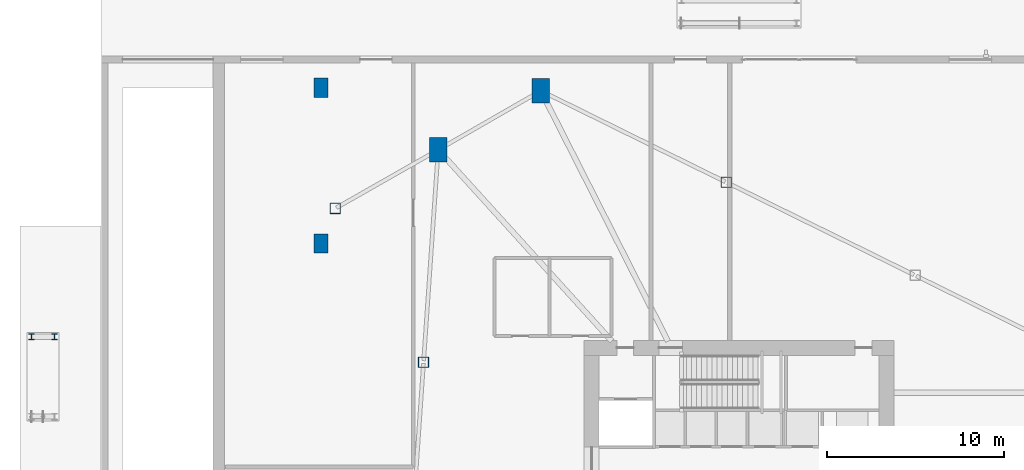
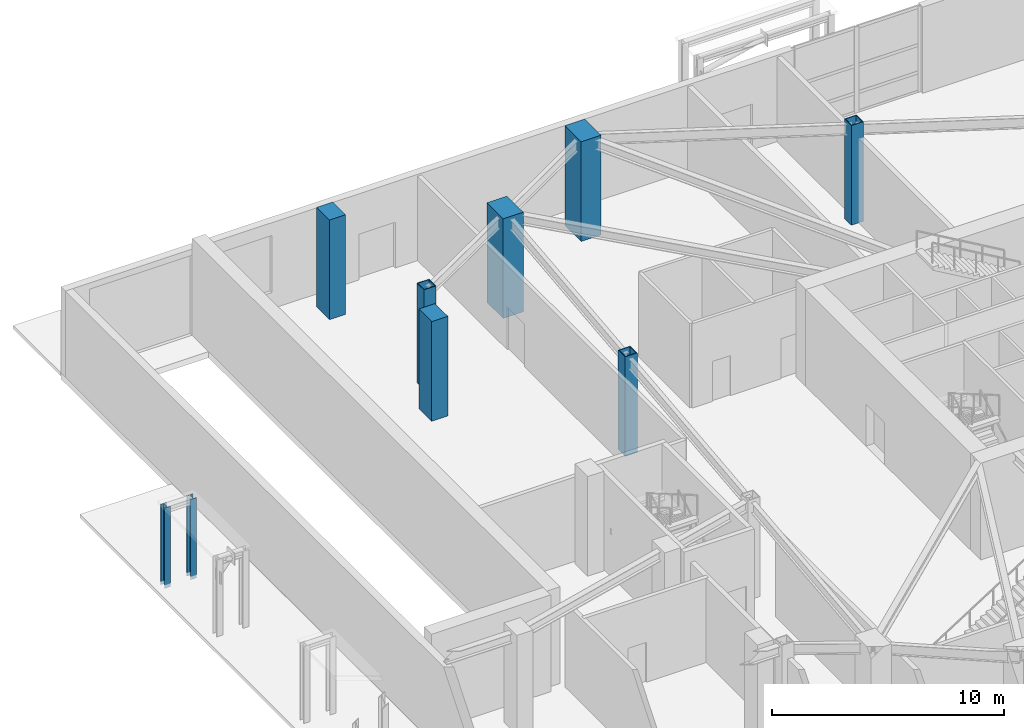
# One storey, part 3 of 22: 9 columns.
"""IFC4 building model written with IfcOpenShell, lengths in metres."""

from ifc_helpers import new_model, si_unit, direction, frame, origin, origin_2d, place, context, subcontext, project, spatial, rectangle, hollow_rectangle, i_section, extrude, source, transform, mapped, material, material_profile, profile_set, type_object, element, save


model = new_model("IFC4")

# Units and contexts
model_context = context("Model", 3, precision=1e-05, world=origin(), true_north=direction((0.0, 1.0)))
body_context = subcontext(model_context, "Body", "Model", "MODEL_VIEW")
ifc_project = project(units=[si_unit("LENGTHUNIT", "METRE"), si_unit("AREAUNIT", "SQUARE_METRE"), si_unit("VOLUMEUNIT", "CUBIC_METRE"), si_unit("PLANEANGLEUNIT", "RADIAN"), si_unit("MASSUNIT", "GRAM", prefix="KILO")], contexts=[model_context])

# Site, building, storey
site_placement = place(None, origin())
site = spatial("IfcSite", under=ifc_project, at=site_placement, CompositionType="ELEMENT")
building_placement = place(site_placement, origin())
building = spatial("IfcBuilding", under=site, at=building_placement, Name="Olszyna Solenne Hotel", CompositionType="ELEMENT")
storey_placement = place(building_placement, origin())
storey = spatial("IfcBuildingStorey", under=building, at=storey_placement, Name="L00", CompositionType="ELEMENT", Elevation=0.0)

# Columns
ifc_material_1 = material(Name="Concrete C60/75", Category="concrete")
ifc_material_profile_1 = material_profile(ifc_material_1, rectangle(XDim=1.0, YDim=1.39990234375, at=origin_2d()), Name="RC 1400x1000", Category="load-bearing")
ifc_profile_set_1 = profile_set([ifc_material_profile_1], Name="Concrete C60/75")
column_type_1 = type_object("IfcColumnType", Name="COL-P1", PredefinedType="COLUMN", material=ifc_profile_set_1)
shared_shape_1 = source(origin(), body_context, "Body", "SweptSolid", [
    extrude(rectangle(XDim=1.0, YDim=1.39990234375, at=origin_2d()), origin(), (0.0, 0.0, 1.0), 5.235107421875),
])
for number, where, z_axis, x_axis, name in (
    (1, (26.808837890625, 48.6416015625, 0.0), (0.0, 0.0, 1.0), (1.0, 0.0, 0.0), "Podium mega-column COL-P1 C-L00-P1-03"),
    (2, (21.014404296875, 45.309326171875, 0.0), (0.0, 0.0, 1.0), (1.0, 0.0, 0.0), "Podium mega-column COL-P1 C-L00-P1-04"),
):
    element("IfcColumn", number, at=place(storey_placement, frame(where, z_axis=z_axis, x_axis=x_axis)), inside=storey, type_object=column_type_1, Name=name, PredefinedType="COLUMN", context=body_context, shape_type="MappedRepresentation", body=[
        mapped(shared_shape_1, transform((0.0, 0.0, 0.0), x_axis=(1.0, 0.0, 0.0), y_axis=(0.0, 1.0, 0.0), z_axis=(0.0, 0.0, 1.0), scale=1.0)),
    ])
ifc_material_2 = material(Name="Steel S460M", Category="steel")
ifc_material_profile_2 = material_profile(ifc_material_2, hollow_rectangle(XDim=0.60009765625, YDim=0.60009765625, WallThickness=0.034912109375, at=origin_2d()), Name="SHS 600x600x35", Category="load-bearing")
ifc_profile_set_2 = profile_set([ifc_material_profile_2], Name="Steel S460M")
column_type_2 = type_object("IfcColumnType", Name="COL-P2", PredefinedType="COLUMN", material=ifc_profile_set_2)
shared_shape_2 = source(origin(), body_context, "Body", "SweptSolid", [
    extrude(hollow_rectangle(XDim=0.60009765625, YDim=0.60009765625, WallThickness=0.034912109375, at=origin_2d()), origin(), (0.0, 0.0, 1.0), 5.235107421875),
])
for number, where, z_axis, x_axis, name in (
    (3, (15.199951171875, 42.0, 0.0), (0.0, 0.0, 1.0), (1.0, 0.0, 0.0), "Podium mega-column COL-P2 C-L00-P2-02"),
    (4, (37.287109375, 43.47509765625, 0.0), (0.0, 0.0, 1.0), (1.0, 0.0, 0.0), "Podium transfer-support column COL-P2 C-L00-TG-03"),
    (5, (20.186767578125, 33.320068359375, 0.0), (0.0, 0.0, 1.0), (1.0, 0.0, 0.0), "Podium transfer-support column COL-P2 C-L00-TG-04"),
):
    element("IfcColumn", number, at=place(storey_placement, frame(where, z_axis=z_axis, x_axis=x_axis)), inside=storey, type_object=column_type_2, Name=name, PredefinedType="COLUMN", context=body_context, shape_type="MappedRepresentation", body=[
        mapped(shared_shape_2, transform((0.0, 0.0, 0.0), x_axis=(1.0, 0.0, 0.0), y_axis=(0.0, 1.0, 0.0), z_axis=(0.0, 0.0, 1.0), scale=1.0)),
    ])
ifc_material_3 = material(Name="Concrete C50/60", Category="concrete")
ifc_material_profile_3 = material_profile(ifc_material_3, rectangle(XDim=0.800048828125, YDim=1.10009765625, at=origin_2d()), Name="RC 1100x800", Category="load-bearing")
ifc_profile_set_3 = profile_set([ifc_material_profile_3], Name="Concrete C50/60")
column_type_3 = type_object("IfcColumnType", Name="COL-B1", PredefinedType="COLUMN", material=ifc_profile_set_3)
shared_shape_3 = source(origin(), body_context, "Body", "SweptSolid", [
    extrude(rectangle(XDim=0.800048828125, YDim=1.10009765625, at=origin_2d()), origin(), (0.0, 0.0, 1.0), 5.235107421875),
])
for number, where, z_axis, x_axis, name in (
    (6, (14.39990234375, 40.02001953125, 0.0), (0.0, 0.0, 1.0), (1.0, 0.0, 0.0), "Basement perimeter column COL-B1 C-L00-B1-04"),
    (7, (14.39990234375, 48.820068359375, 0.0), (0.0, 0.0, 1.0), (1.0, 0.0, 0.0), "Basement perimeter column COL-B1 C-L00-B1-05"),
):
    element("IfcColumn", number, at=place(storey_placement, frame(where, z_axis=z_axis, x_axis=x_axis)), inside=storey, type_object=column_type_3, Name=name, PredefinedType="COLUMN", context=body_context, shape_type="MappedRepresentation", body=[
        mapped(shared_shape_3, transform((0.0, 0.0, 0.0), x_axis=(1.0, 0.0, 0.0), y_axis=(0.0, 1.0, 0.0), z_axis=(0.0, 0.0, 1.0), scale=1.0)),
    ])
ifc_material_4 = material(Name="Steel S355J2", Category="steel")
ifc_material_profile_4 = material_profile(ifc_material_4, i_section(OverallWidth=0.300048828125, OverallDepth=0.340087890625, WebThickness=0.011962890625, FlangeThickness=0.021484375, at=origin_2d()), Name="HEB 340", Category="load-bearing")
ifc_profile_set_4 = profile_set([ifc_material_profile_4], Name="Steel S355J2")
column_type_4 = type_object("IfcColumnType", Name="COL-S1", PredefinedType="COLUMN", material=ifc_profile_set_4)
shared_shape_4 = source(origin(), body_context, "Body", "SweptSolid", [
    extrude(i_section(OverallWidth=0.300048828125, OverallDepth=0.340087890625, WebThickness=0.011962890625, FlangeThickness=0.021484375, at=origin_2d()), origin(), (0.0, 0.0, 1.0), 4.219970703125),
])
for number, where, z_axis, x_axis, name in (
    (8, (-0.64990234375, 34.75, -0.179931640625), (0.0, 0.0, 1.0), (1.0, 0.0, 0.0), "Forecourt canopy column COL-S1 C-L00-CN-W2-3"),
    (9, (-1.949951171875, 34.75, -0.179931640625), (0.0, 0.0, 1.0), (1.0, 0.0, 0.0), "Forecourt canopy column COL-S1 C-L00-CN-W2-4"),
):
    element("IfcColumn", number, at=place(storey_placement, frame(where, z_axis=z_axis, x_axis=x_axis)), inside=storey, type_object=column_type_4, Name=name, PredefinedType="COLUMN", context=body_context, shape_type="MappedRepresentation", body=[
        mapped(shared_shape_4, transform((0.0, 0.0, 0.0), x_axis=(1.0, 0.0, 0.0), y_axis=(0.0, 1.0, 0.0), z_axis=(0.0, 0.0, 1.0), scale=1.0)),
    ])

save(model, "model.ifc")
